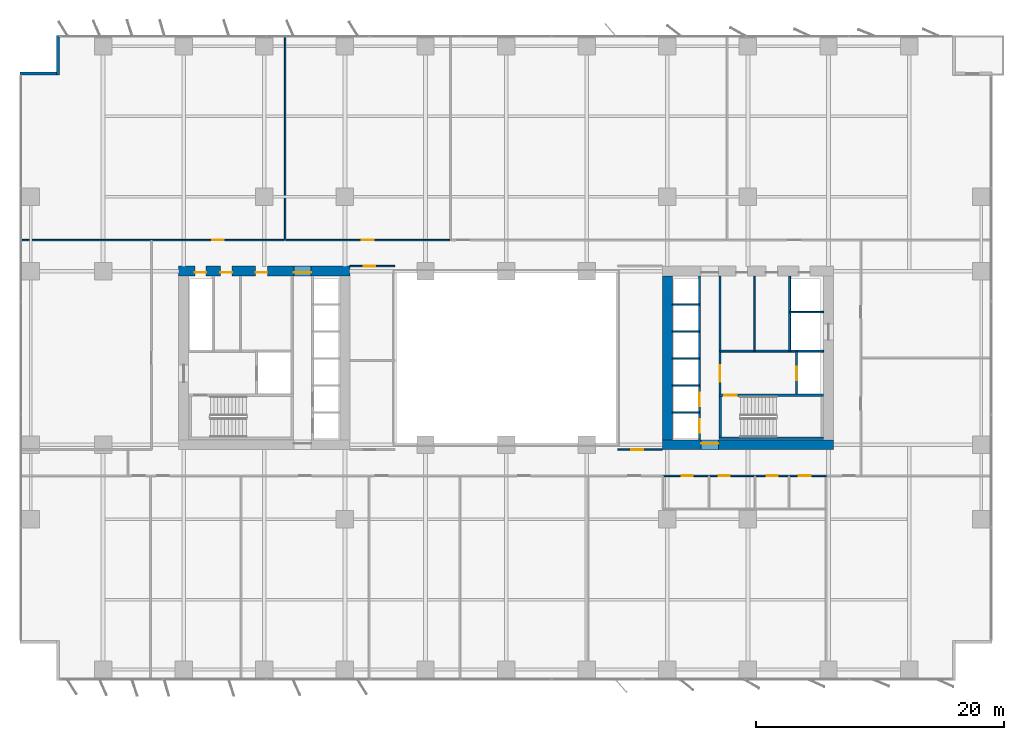
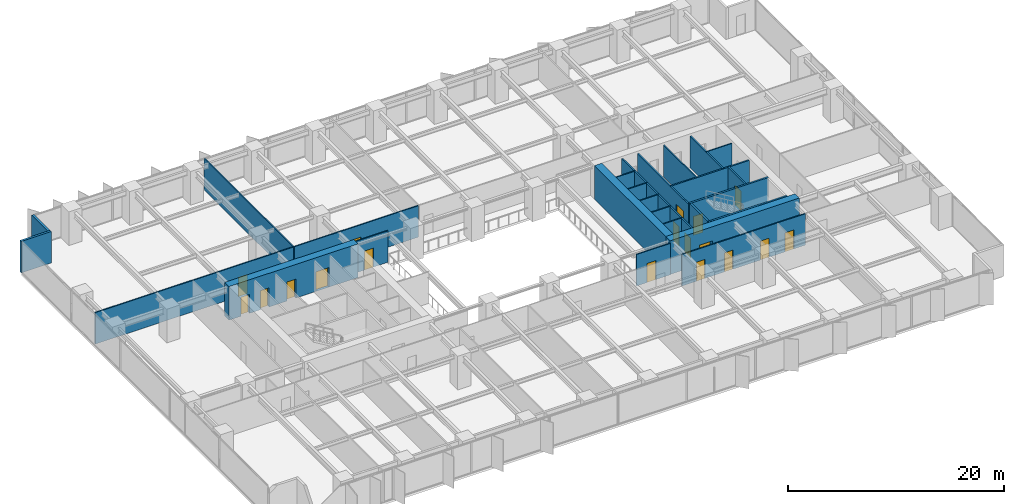
# One storey, part 14 of 20: 26 walls, 18 doors, 18 openings.
"""IFC4 building model written with IfcOpenShell, lengths in metres."""

from ifc_helpers import new_model, si_unit, direction, frame, frame_2d, origin, place, context, subcontext, project, spatial, rectangle, extrude, material, layer, layer_set, type_object, element, fill, save


model = new_model("IFC4")

# Units and contexts
model_context = context("Model", 3, precision=1e-05, world=origin(), true_north=direction((0.0, 1.0)))
body_context = subcontext(model_context, "Body", "Model", "MODEL_VIEW")
ifc_project = project(units=[si_unit("LENGTHUNIT", "METRE"), si_unit("AREAUNIT", "SQUARE_METRE"), si_unit("VOLUMEUNIT", "CUBIC_METRE"), si_unit("PLANEANGLEUNIT", "RADIAN"), si_unit("MASSUNIT", "GRAM", prefix="KILO")], contexts=[model_context])

# Site, building, storey
site_placement = place(None, origin())
site = spatial("IfcSite", under=ifc_project, at=site_placement, CompositionType="ELEMENT")
building_placement = place(site_placement, origin())
building = spatial("IfcBuilding", under=site, at=building_placement, Name="Putna Gate Headquarters", CompositionType="ELEMENT")
storey_placement = place(building_placement, frame((0.0, 0.0, 69.60009765625)))
storey = spatial("IfcBuildingStorey", under=building, at=storey_placement, Name="L16", CompositionType="ELEMENT", Elevation=69.60009765625)

# Wall, openings, doors
ifc_material_1 = material(Name="Concrete C60/75", Category="concrete")
ifc_layer_1 = layer(ifc_material_1, 0.800048828125)
ifc_layer_set_1 = layer_set([ifc_layer_1], Name="Concrete C60/75")
wall_type_1 = type_object("IfcWallType", Name="WALL-CORE-800", PredefinedType="SHEAR", material=ifc_layer_set_1)
wall_1_placement = place(storey_placement, frame((12.60009765625, 33.0, 0.0), z_axis=(0.0, 0.0, 1.0), x_axis=(1.0, 0.0, 0.0)))
wall_1 = element("IfcWall", 1, at=wall_1_placement, inside=storey, type_object=wall_type_1, Name="L16 WC Split Core Shear Wall N", PredefinedType="SHEAR", context=body_context, shape_type="SweptSolid", body=[
    extrude(rectangle(XDim=13.7998046875, YDim=0.800048828125, at=frame_2d((6.89990234375, 0.0))), origin(), (0.0, 0.0, 1.0), 3.7998046875),
])
opening_1_placement = place(wall_1_placement, frame((1.300048828125, 0.0, 0.0)))
opening_1 = element("IfcOpeningElement", 2, at=opening_1_placement, cuts=wall_1, Name="Opening RD-90", PredefinedType="OPENING", context=body_context, shape_type="SweptSolid", body=[
    extrude(rectangle(XDim=0.89990234375, YDim=2.14990234375, at=frame_2d((0.449951171875, 1.074951171875))), frame((0.0, 0.409912109375, 0.0), z_axis=(0.0, -1.0, 0.0), x_axis=(1.0, 0.0, 0.0)), (0.0, 0.0, 1.0), 0.820068359375),
])
opening_2_placement = place(wall_1_placement, frame((3.35009765625, 0.0, 0.0)))
opening_2 = element("IfcOpeningElement", 3, at=opening_2_placement, cuts=wall_1, Name="Opening IDS-95", PredefinedType="OPENING", context=body_context, shape_type="SweptSolid", body=[
    extrude(rectangle(XDim=0.949951171875, YDim=2.14990234375, at=frame_2d((0.47509765625, 1.074951171875))), frame((0.0, 0.409912109375, 0.0), z_axis=(0.0, -1.0, 0.0), x_axis=(1.0, 0.0, 0.0)), (0.0, 0.0, 1.0), 0.820068359375),
])
opening_3_placement = place(wall_1_placement, frame((6.199951171875, 0.0, 0.0)))
opening_3 = element("IfcOpeningElement", 4, at=opening_3_placement, cuts=wall_1, Name="Opening IDS-95", PredefinedType="OPENING", context=body_context, shape_type="SweptSolid", body=[
    extrude(rectangle(XDim=0.949951171875, YDim=2.14990234375, at=frame_2d((0.47509765625, 1.074951171875))), frame((0.0, 0.409912109375, 0.0), z_axis=(0.0, -1.0, 0.0), x_axis=(1.0, 0.0, 0.0)), (0.0, 0.0, 1.0), 0.820068359375),
])
opening_4_placement = place(wall_1_placement, frame((9.280029296875, 0.0, 0.0)))
opening_4 = element("IfcOpeningElement", 5, at=opening_4_placement, cuts=wall_1, Name="Opening FDD-140", PredefinedType="OPENING", context=body_context, shape_type="SweptSolid", body=[
    extrude(rectangle(XDim=1.39990234375, YDim=2.199951171875, at=frame_2d((0.699951171875, 1.10009765625))), frame((0.0, 0.409912109375, 0.0), z_axis=(0.0, -1.0, 0.0), x_axis=(1.0, 0.0, 0.0)), (0.0, 0.0, 1.0), 0.820068359375),
])
ifc_material_2 = material(Name="Double steel fire door", Category="steel")
door_type_1 = type_object("IfcDoorType", Name="DOOR-FIRE-DBL-1400", OperationType="DOUBLE_DOOR_SINGLE_SWING", PredefinedType="DOOR", material=ifc_material_2)
door_1_placement = place(opening_4_placement, origin())
door_1 = element("IfcDoor", 6, at=door_1_placement, inside=storey, type_object=door_type_1, Name="L16 West Lift Lobby North Door", OperationType="DOUBLE_DOOR_SINGLE_SWING", OverallHeight=2.199951171875, OverallWidth=1.39990234375, PredefinedType="DOOR", context=body_context, shape_type="SweptSolid", body=[
    extrude(rectangle(XDim=1.39990234375, YDim=2.199951171875, at=frame_2d((0.699951171875, 1.10009765625))), frame((0.0, -0.0751953125, 0.0), z_axis=(0.0, -1.0, 0.0), x_axis=(1.0, 0.0, 0.0)), (0.0, 0.0, 1.0), 0.050048828125),
])
fill(opening_4, door_1)
ifc_material_3 = material(Name="Fire-rated service timber door", Category="wood")
door_type_2 = type_object("IfcDoorType", Name="DOOR-INT-950", OperationType="NOTDEFINED", PredefinedType="DOOR", material=ifc_material_3)
door_2_placement = place(opening_2_placement, origin())
door_2 = element("IfcDoor", 7, at=door_2_placement, inside=storey, type_object=door_type_2, Name="L16 Archive Store Door", OperationType="SINGLE_SWING_LEFT", OverallHeight=2.14990234375, OverallWidth=0.949951171875, PredefinedType="DOOR", context=body_context, shape_type="SweptSolid", body=[
    extrude(rectangle(XDim=0.949951171875, YDim=2.14990234375, at=frame_2d((0.47509765625, 1.074951171875))), frame((0.0, -0.0751953125, 0.0), z_axis=(0.0, -1.0, 0.0), x_axis=(1.0, 0.0, 0.0)), (0.0, 0.0, 1.0), 0.050048828125),
])
fill(opening_2, door_2)
door_3_placement = place(opening_3_placement, origin())
door_3 = element("IfcDoor", 8, at=door_3_placement, inside=storey, type_object=door_type_2, Name="L16 Switchgear Plant Door", OperationType="SINGLE_SWING_RIGHT", OverallHeight=2.14990234375, OverallWidth=0.949951171875, PredefinedType="DOOR", context=body_context, shape_type="SweptSolid", body=[
    extrude(rectangle(XDim=0.949951171875, YDim=2.14990234375, at=frame_2d((0.47509765625, 1.074951171875))), frame((0.0, -0.0751953125, 0.0), z_axis=(0.0, -1.0, 0.0), x_axis=(1.0, 0.0, 0.0)), (0.0, 0.0, 1.0), 0.050048828125),
])
fill(opening_3, door_3)
ifc_material_4 = material(Name="Steel riser access fire door", Category="steel")
door_type_3 = type_object("IfcDoorType", Name="DOOR-RISER-900", OperationType="NOTDEFINED", PredefinedType="DOOR", material=ifc_material_4)
door_4_placement = place(opening_1_placement, origin())
door_4 = element("IfcDoor", 9, at=door_4_placement, inside=storey, type_object=door_type_3, Name="L16 West Riser Access Door", OperationType="SINGLE_SWING_RIGHT", OverallHeight=2.14990234375, OverallWidth=0.89990234375, PredefinedType="DOOR", context=body_context, shape_type="SweptSolid", body=[
    extrude(rectangle(XDim=0.89990234375, YDim=2.14990234375, at=frame_2d((0.449951171875, 1.074951171875))), frame((0.0, -0.0751953125, 0.0), z_axis=(0.0, -1.0, 0.0), x_axis=(1.0, 0.0, 0.0)), (0.0, 0.0, 1.0), 0.050048828125),
])
fill(opening_1, door_4)

# Wall, opening, door
wall_2_placement = place(storey_placement, frame((51.60009765625, 19.0, 0.0), z_axis=(0.0, 0.0, 1.0), x_axis=(1.0, 0.0, 0.0)))
wall_2 = element("IfcWall", 10, at=wall_2_placement, inside=storey, type_object=wall_type_1, Name="L16 EC Split Core Shear Wall S", PredefinedType="SHEAR", context=body_context, shape_type="SweptSolid", body=[
    extrude(rectangle(XDim=13.7998046875, YDim=0.800048828125, at=frame_2d((6.89990234375, 0.0))), origin(), (0.0, 0.0, 1.0), 3.7998046875),
])
opening_5_placement = place(wall_2_placement, frame((3.1201171875, 0.0, 0.0)))
opening_5 = element("IfcOpeningElement", 11, at=opening_5_placement, cuts=wall_2, Name="Opening FDD-140", PredefinedType="OPENING", context=body_context, shape_type="SweptSolid", body=[
    extrude(rectangle(XDim=1.39990234375, YDim=2.199951171875, at=frame_2d((0.699951171875, 1.10009765625))), frame((0.0, 0.409912109375, 0.0), z_axis=(0.0, -1.0, 0.0), x_axis=(1.0, 0.0, 0.0)), (0.0, 0.0, 1.0), 0.820068359375),
])
door_5_placement = place(opening_5_placement, origin())
door_5 = element("IfcDoor", 12, at=door_5_placement, inside=storey, type_object=door_type_1, Name="L16 East Lift Lobby South Door", OperationType="DOUBLE_DOOR_SINGLE_SWING", OverallHeight=2.199951171875, OverallWidth=1.39990234375, PredefinedType="DOOR", context=body_context, shape_type="SweptSolid", body=[
    extrude(rectangle(XDim=1.39990234375, YDim=2.199951171875, at=frame_2d((0.699951171875, 1.10009765625))), frame((0.0, 0.125, 0.0), z_axis=(0.0, -1.0, 0.0), x_axis=(1.0, 0.0, 0.0)), (0.0, 0.0, 1.0), 0.050048828125),
])
fill(opening_5, door_5)

# Walls
wall_3_placement = place(storey_placement, frame((52.0, 19.39990234375, 0.0), z_axis=(0.0, 0.0, 1.0), x_axis=(0.0, 1.0, 0.0)))
element("IfcWall", 13, at=wall_3_placement, inside=storey, type_object=wall_type_1, Name="L16 EC Split Core Shear Wall W", PredefinedType="SHEAR", context=body_context, shape_type="SweptSolid", body=[
    extrude(rectangle(XDim=13.2001953125, YDim=0.800048828125, at=frame_2d((6.60009765625, 0.0))), origin(), (0.0, 0.0, 1.0), 3.7998046875),
])
ifc_material_5 = material(Name="Precast concrete C40/50", Category="concrete")
ifc_layer_2 = layer(ifc_material_5, 0.239990234375)
ifc_layer_set_2 = layer_set([ifc_layer_2], Name="Precast concrete C40/50")
wall_type_2 = type_object("IfcWallType", Name="WALL-EXT-TERR-240", PredefinedType="STANDARD", material=ifc_layer_set_2)
for number, where, z_axis, x_axis, name in (
    (14, (2.8798828125, 48.800048828125, 0.0), (0.0, 0.0, 1.0), (0.0, 1.0, 0.0), "L16 Corner Notch Return Wall NW-V"),
    (15, (-0.199951171875, 48.919921875, 0.0), (0.0, 0.0, 1.0), (1.0, 0.0, 0.0), "L16 Corner Notch Return Wall NW-H"),
):
    element("IfcWall", number, at=place(storey_placement, frame(where, z_axis=z_axis, x_axis=x_axis)), inside=storey, type_object=wall_type_2, Name=name, PredefinedType="STANDARD", context=body_context, shape_type="SweptSolid", body=[
        extrude(rectangle(XDim=3.199951171875, YDim=0.239990234375, at=frame_2d((1.60009765625, 0.0))), origin(), (0.0, 0.0, 1.0), 3.5498046875),
    ])

# Wall, opening, door
ifc_material_6 = material(Name="Acoustic gypsum board on metal stud")
ifc_layer_3 = layer(ifc_material_6, 0.1201171875)
ifc_layer_set_3 = layer_set([ifc_layer_3], Name="Acoustic gypsum board on metal stud")
wall_type_3 = type_object("IfcWallType", Name="WALL-PART-120", PredefinedType="PARTITIONING", material=ifc_layer_set_3)
wall_4_placement = place(storey_placement, frame((26.39990234375, 33.39990234375, 0.0), z_axis=(0.0, 0.0, 1.0), x_axis=(1.0, 0.0, 0.0)))
wall_4 = element("IfcWall", 16, at=wall_4_placement, inside=storey, type_object=wall_type_3, Name="L16 Interior Wall PART-L16-ATR-W-N", PredefinedType="PARTITIONING", context=body_context, shape_type="SweptSolid", body=[
    extrude(rectangle(XDim=3.60009765625, YDim=0.1201171875, at=frame_2d((1.800048828125, 0.0))), origin(), (0.0, 0.0, 1.0), 3.5498046875),
])
opening_6_placement = place(wall_4_placement, frame((1.10009765625, 0.0, 0.0)))
opening_6 = element("IfcOpeningElement", 17, at=opening_6_placement, cuts=wall_4, Name="Opening ID-95", PredefinedType="OPENING", context=body_context, shape_type="SweptSolid", body=[
    extrude(rectangle(XDim=0.949951171875, YDim=2.14990234375, at=frame_2d((0.47509765625, 1.074951171875))), frame((0.0, 0.070068359375, 0.0), z_axis=(0.0, -1.0, 0.0), x_axis=(1.0, 0.0, 0.0)), (0.0, 0.0, 1.0), 0.14013671875),
])
ifc_material_7 = material(Name="Veneered acoustic timber door", Category="wood")
door_type_4 = type_object("IfcDoorType", Name="DOOR-OFF-950", OperationType="NOTDEFINED", PredefinedType="DOOR", material=ifc_material_7)
door_6_placement = place(opening_6_placement, origin())
door_6 = element("IfcDoor", 18, at=door_6_placement, inside=storey, type_object=door_type_4, Name="L16 West Atrium North Study Door", OperationType="SINGLE_SWING_RIGHT", OverallHeight=2.14990234375, OverallWidth=0.949951171875, PredefinedType="DOOR", context=body_context, shape_type="SweptSolid", body=[
    extrude(rectangle(XDim=0.949951171875, YDim=2.14990234375, at=frame_2d((0.47509765625, 1.074951171875))), frame((0.0, 0.02490234375, 0.0), z_axis=(0.0, -1.0, 0.0), x_axis=(1.0, 0.0, 0.0)), (0.0, 0.0, 1.0), 0.050048828125),
])
fill(opening_6, door_6)

wall_5_placement = place(storey_placement, frame((48.0, 18.60009765625, 0.0), z_axis=(0.0, 0.0, 1.0), x_axis=(1.0, 0.0, 0.0)))
wall_5 = element("IfcWall", 19, at=wall_5_placement, inside=storey, type_object=wall_type_3, Name="L16 Interior Wall PART-L16-ATR-E-S", PredefinedType="PARTITIONING", context=body_context, shape_type="SweptSolid", body=[
    extrude(rectangle(XDim=3.60009765625, YDim=0.1201171875, at=frame_2d((1.800048828125, 0.0))), origin(), (0.0, 0.0, 1.0), 3.5498046875),
])
opening_7_placement = place(wall_5_placement, frame((1.10009765625, 0.0, 0.0)))
opening_7 = element("IfcOpeningElement", 20, at=opening_7_placement, cuts=wall_5, Name="Opening ID-95", PredefinedType="OPENING", context=body_context, shape_type="SweptSolid", body=[
    extrude(rectangle(XDim=0.949951171875, YDim=2.14990234375, at=frame_2d((0.47509765625, 1.074951171875))), frame((0.0, 0.070068359375, 0.0), z_axis=(0.0, -1.0, 0.0), x_axis=(1.0, 0.0, 0.0)), (0.0, 0.0, 1.0), 0.14013671875),
])
door_7_placement = place(opening_7_placement, origin())
door_7 = element("IfcDoor", 21, at=door_7_placement, inside=storey, type_object=door_type_4, Name="L16 East Atrium Gallery Lounge Door", OperationType="SINGLE_SWING_LEFT", OverallHeight=2.14990234375, OverallWidth=0.949951171875, PredefinedType="DOOR", context=body_context, shape_type="SweptSolid", body=[
    extrude(rectangle(XDim=0.949951171875, YDim=2.14990234375, at=frame_2d((0.47509765625, 1.074951171875))), frame((0.0, 0.02490234375, 0.0), z_axis=(0.0, -1.0, 0.0), x_axis=(1.0, 0.0, 0.0)), (0.0, 0.0, 1.0), 0.050048828125),
])
fill(opening_7, door_7)

# Walls
wall_6_placement = place(storey_placement, frame((21.17578125, 35.56005859375, 0.0), z_axis=(0.0, 0.0, 1.0), x_axis=(0.0, 1.0, 0.0)))
element("IfcWall", 22, at=wall_6_placement, inside=storey, type_object=wall_type_3, Name="L16 Interior Wall PART-L16-NB-DIV-01", PredefinedType="PARTITIONING", context=body_context, shape_type="SweptSolid", body=[
    extrude(rectangle(XDim=16.419921875, YDim=0.1201171875, at=frame_2d((8.2099609375, 0.0))), origin(), (0.0, 0.0, 1.0), 3.5498046875),
])
ifc_material_8 = material(Name="Fire-rated shaftwall gypsum board on metal stud")
ifc_layer_4 = layer(ifc_material_8, 0.1201171875)
ifc_layer_set_4 = layer_set([ifc_layer_4], Name="Fire-rated shaftwall gypsum board on metal stud")
wall_type_4 = type_object("IfcWallType", Name="WALL-PART-120-EI120", PredefinedType="PARTITIONING", material=ifc_layer_set_4)
for number, where, z_axis, x_axis, name in (
    (23, (52.39990234375, 21.610107421875, 0.0), (0.0, 0.0, 1.0), (1.0, 0.0, 0.0), "L16 Interior Wall CWINT-L16-EC-LF03-DIV"),
    (24, (52.39990234375, 23.780029296875, 0.0), (0.0, 0.0, 1.0), (1.0, 0.0, 0.0), "L16 Interior Wall CWINT-L16-EC-LF04-DIV"),
    (25, (52.39990234375, 25.949951171875, 0.0), (0.0, 0.0, 1.0), (1.0, 0.0, 0.0), "L16 Interior Wall CWINT-L16-EC-LF07-DIV"),
    (26, (52.39990234375, 28.1201171875, 0.0), (0.0, 0.0, 1.0), (1.0, 0.0, 0.0), "L16 Interior Wall CWINT-L16-EC-LF08-DIV"),
    (27, (52.39990234375, 30.31005859375, 0.0), (0.0, 0.0, 1.0), (1.0, 0.0, 0.0), "L16 Interior Wall CWINT-L16-EC-LF11-DIV"),
):
    element("IfcWall", number, at=place(storey_placement, frame(where, z_axis=z_axis, x_axis=x_axis)), inside=storey, type_object=wall_type_4, Name=name, PredefinedType="PARTITIONING", context=body_context, shape_type="SweptSolid", body=[
        extrude(rectangle(XDim=2.2001953125, YDim=0.1201171875, at=frame_2d((1.10009765625, 0.0))), origin(), (0.0, 0.0, 1.0), 3.5498046875),
    ])
wall_7_placement = place(storey_placement, frame((61.8701171875, 29.699951171875, 0.0), z_axis=(0.0, 0.0, 1.0), x_axis=(1.0, 0.0, 0.0)))
element("IfcWall", 28, at=wall_7_placement, inside=storey, type_object=wall_type_4, Name="L16 Interior Wall CWINT-L16-EC-LF15-N", PredefinedType="PARTITIONING", context=body_context, shape_type="SweptSolid", body=[
    extrude(rectangle(XDim=2.72998046875, YDim=0.1201171875, at=frame_2d((1.364990234375, 0.0))), origin(), (0.0, 0.0, 1.0), 3.5498046875),
])
ifc_material_9 = material(Name="Fire-rated gypsum board on metal stud")
ifc_layer_5 = layer(ifc_material_9, 0.1201171875)
ifc_layer_set_5 = layer_set([ifc_layer_5], Name="Fire-rated gypsum board on metal stud")
wall_type_5 = type_object("IfcWallType", Name="WALL-PART-120-RATED", PredefinedType="PARTITIONING", material=ifc_layer_set_5)
wall_8_placement = place(storey_placement, frame((59.02001953125, 26.56005859375, 0.0), z_axis=(0.0, 0.0, 1.0), x_axis=(0.0, 1.0, 0.0)))
element("IfcWall", 29, at=wall_8_placement, inside=storey, type_object=wall_type_5, Name="L16 Interior Wall CWINT-L16-EC-K1-DIV", PredefinedType="PARTITIONING", context=body_context, shape_type="SweptSolid", body=[
    extrude(rectangle(XDim=6.0400390625, YDim=0.1201171875, at=frame_2d((3.02001953125, 0.0))), origin(), (0.0, 0.0, 1.0), 3.5498046875),
])

# Wall, openings, doors
wall_9_placement = place(storey_placement, frame((51.639892578125, 16.5, 0.0), z_axis=(0.0, 0.0, 1.0), x_axis=(1.0, 0.0, 0.0)))
wall_9 = element("IfcWall", 30, at=wall_9_placement, inside=storey, type_object=wall_type_5, Name="L16 Interior Wall PART-L16-SAN-CW", PredefinedType="PARTITIONING", context=body_context, shape_type="SweptSolid", body=[
    extrude(rectangle(XDim=13.16015625, YDim=0.1201171875, at=frame_2d((6.580078125, 0.0))), origin(), (0.0, 0.0, 1.0), 3.5498046875),
])
opening_8_placement = place(wall_9_placement, frame((1.510009765625, 0.0, 0.0)))
opening_8 = element("IfcOpeningElement", 31, at=opening_8_placement, cuts=wall_9, Name="Opening FD-90", PredefinedType="OPENING", context=body_context, shape_type="SweptSolid", body=[
    extrude(rectangle(XDim=0.89990234375, YDim=2.14990234375, at=frame_2d((0.449951171875, 1.074951171875))), frame((0.0, 0.070068359375, 0.0), z_axis=(0.0, -1.0, 0.0), x_axis=(1.0, 0.0, 0.0)), (0.0, 0.0, 1.0), 0.14013671875),
])
opening_9_placement = place(wall_9_placement, frame((4.510009765625, 0.0, 0.0)))
opening_9 = element("IfcOpeningElement", 32, at=opening_9_placement, cuts=wall_9, Name="Opening FD-90", PredefinedType="OPENING", context=body_context, shape_type="SweptSolid", body=[
    extrude(rectangle(XDim=0.89990234375, YDim=2.14990234375, at=frame_2d((0.449951171875, 1.074951171875))), frame((0.0, 0.070068359375, 0.0), z_axis=(0.0, -1.0, 0.0), x_axis=(1.0, 0.0, 0.0)), (0.0, 0.0, 1.0), 0.14013671875),
])
opening_10_placement = place(wall_9_placement, frame((8.360107421875, 0.0, 0.0)))
opening_10 = element("IfcOpeningElement", 33, at=opening_10_placement, cuts=wall_9, Name="Opening FD-90", PredefinedType="OPENING", context=body_context, shape_type="SweptSolid", body=[
    extrude(rectangle(XDim=0.89990234375, YDim=2.14990234375, at=frame_2d((0.449951171875, 1.074951171875))), frame((0.0, 0.070068359375, 0.0), z_axis=(0.0, -1.0, 0.0), x_axis=(1.0, 0.0, 0.0)), (0.0, 0.0, 1.0), 0.14013671875),
])
opening_11_placement = place(wall_9_placement, frame((10.9599609375, 0.0, 0.0)))
opening_11 = element("IfcOpeningElement", 34, at=opening_11_placement, cuts=wall_9, Name="Opening FD-95", PredefinedType="OPENING", context=body_context, shape_type="SweptSolid", body=[
    extrude(rectangle(XDim=0.949951171875, YDim=2.14990234375, at=frame_2d((0.47509765625, 1.074951171875))), frame((0.0, 0.070068359375, 0.0), z_axis=(0.0, -1.0, 0.0), x_axis=(1.0, 0.0, 0.0)), (0.0, 0.0, 1.0), 0.14013671875),
])
ifc_material_10 = material(Name="Acoustic washroom fire door")
door_type_5 = type_object("IfcDoorType", Name="DOOR-FIRE-900", OperationType="NOTDEFINED", PredefinedType="DOOR", material=ifc_material_10)
door_8_placement = place(opening_8_placement, origin())
door_8 = element("IfcDoor", 35, at=door_8_placement, inside=storey, type_object=door_type_5, Name="L16 Washroom Male Door", OperationType="SINGLE_SWING_RIGHT", OverallHeight=2.14990234375, OverallWidth=0.89990234375, PredefinedType="DOOR", context=body_context, shape_type="SweptSolid", body=[
    extrude(rectangle(XDim=0.89990234375, YDim=2.14990234375, at=frame_2d((0.449951171875, 1.074951171875))), frame((0.0, 0.02490234375, 0.0), z_axis=(0.0, -1.0, 0.0), x_axis=(1.0, 0.0, 0.0)), (0.0, 0.0, 1.0), 0.050048828125),
])
fill(opening_8, door_8)
door_9_placement = place(opening_9_placement, origin())
door_9 = element("IfcDoor", 36, at=door_9_placement, inside=storey, type_object=door_type_5, Name="L16 Washroom Female Door", OperationType="SINGLE_SWING_LEFT", OverallHeight=2.14990234375, OverallWidth=0.89990234375, PredefinedType="DOOR", context=body_context, shape_type="SweptSolid", body=[
    extrude(rectangle(XDim=0.89990234375, YDim=2.14990234375, at=frame_2d((0.449951171875, 1.074951171875))), frame((0.0, 0.02490234375, 0.0), z_axis=(0.0, -1.0, 0.0), x_axis=(1.0, 0.0, 0.0)), (0.0, 0.0, 1.0), 0.050048828125),
])
fill(opening_9, door_9)
door_10_placement = place(opening_10_placement, origin())
door_10 = element("IfcDoor", 37, at=door_10_placement, inside=storey, type_object=door_type_5, Name="L16 Accessible WC Door", OperationType="SINGLE_SWING_RIGHT", OverallHeight=2.14990234375, OverallWidth=0.89990234375, PredefinedType="DOOR", context=body_context, shape_type="SweptSolid", body=[
    extrude(rectangle(XDim=0.89990234375, YDim=2.14990234375, at=frame_2d((0.449951171875, 1.074951171875))), frame((0.0, 0.02490234375, 0.0), z_axis=(0.0, -1.0, 0.0), x_axis=(1.0, 0.0, 0.0)), (0.0, 0.0, 1.0), 0.050048828125),
])
fill(opening_10, door_10)
ifc_material_11 = material(Name="Acoustic timber fire door", Category="wood")
door_type_6 = type_object("IfcDoorType", Name="DOOR-FIRE-950", OperationType="NOTDEFINED", PredefinedType="DOOR", material=ifc_material_11)
door_11_placement = place(opening_11_placement, origin())
door_11 = element("IfcDoor", 38, at=door_11_placement, inside=storey, type_object=door_type_6, Name="L16 Staff Pantry and Tea Point Door", OperationType="SINGLE_SWING_LEFT", OverallHeight=2.14990234375, OverallWidth=0.949951171875, PredefinedType="DOOR", context=body_context, shape_type="SweptSolid", body=[
    extrude(rectangle(XDim=0.949951171875, YDim=2.14990234375, at=frame_2d((0.47509765625, 1.074951171875))), frame((0.0, 0.02490234375, 0.0), z_axis=(0.0, -1.0, 0.0), x_axis=(1.0, 0.0, 0.0)), (0.0, 0.0, 1.0), 0.050048828125),
])
fill(opening_11, door_11)

# Wall, opening, door
wall_10_placement = place(storey_placement, frame((-0.02001953125, 35.5, 0.0), z_axis=(0.0, 0.0, 1.0), x_axis=(1.0, 0.0, 0.0)))
wall_10 = element("IfcWall", 39, at=wall_10_placement, inside=storey, type_object=wall_type_5, Name="L16 Interior Wall PART-L16-NB-CW-01", PredefinedType="PARTITIONING", context=body_context, shape_type="SweptSolid", body=[
    extrude(rectangle(XDim=21.1357421875, YDim=0.1201171875, at=frame_2d((10.56787109375, 0.0))), origin(), (0.0, 0.0, 1.0), 3.5498046875),
])
opening_12_placement = place(wall_10_placement, frame((15.302978515625, 0.0, 0.0)))
opening_12 = element("IfcOpeningElement", 40, at=opening_12_placement, cuts=wall_10, Name="Opening FD-95", PredefinedType="OPENING", context=body_context, shape_type="SweptSolid", body=[
    extrude(rectangle(XDim=0.949951171875, YDim=2.14990234375, at=frame_2d((0.47509765625, 1.074951171875))), frame((0.0, 0.070068359375, 0.0), z_axis=(0.0, -1.0, 0.0), x_axis=(1.0, 0.0, 0.0)), (0.0, 0.0, 1.0), 0.14013671875),
])
door_12_placement = place(opening_12_placement, origin())
door_12 = element("IfcDoor", 41, at=door_12_placement, inside=storey, type_object=door_type_6, Name="L16 Quiet Wellness Focus Studio 2 Door", OperationType="SINGLE_SWING_RIGHT", OverallHeight=2.14990234375, OverallWidth=0.949951171875, PredefinedType="DOOR", context=body_context, shape_type="SweptSolid", body=[
    extrude(rectangle(XDim=0.949951171875, YDim=2.14990234375, at=frame_2d((0.47509765625, 1.074951171875))), frame((0.0, 0.02490234375, 0.0), z_axis=(0.0, -1.0, 0.0), x_axis=(1.0, 0.0, 0.0)), (0.0, 0.0, 1.0), 0.050048828125),
])
fill(opening_12, door_12)

wall_11_placement = place(storey_placement, frame((21.235595703125, 35.5, 0.0), z_axis=(0.0, 0.0, 1.0), x_axis=(1.0, 0.0, 0.0)))
wall_11 = element("IfcWall", 42, at=wall_11_placement, inside=storey, type_object=wall_type_5, Name="L16 Interior Wall PART-L16-NB-CW-02", PredefinedType="PARTITIONING", context=body_context, shape_type="SweptSolid", body=[
    extrude(rectangle(XDim=13.232666015625, YDim=0.1201171875, at=frame_2d((6.6162109375, 0.0))), origin(), (0.0, 0.0, 1.0), 3.5498046875),
])
opening_13_placement = place(wall_11_placement, frame((6.141357421875, 0.0, 0.0)))
opening_13 = element("IfcOpeningElement", 43, at=opening_13_placement, cuts=wall_11, Name="Opening FD-95", PredefinedType="OPENING", context=body_context, shape_type="SweptSolid", body=[
    extrude(rectangle(XDim=0.949951171875, YDim=2.14990234375, at=frame_2d((0.47509765625, 1.074951171875))), frame((0.0, 0.070068359375, 0.0), z_axis=(0.0, -1.0, 0.0), x_axis=(1.0, 0.0, 0.0)), (0.0, 0.0, 1.0), 0.14013671875),
])
door_13_placement = place(opening_13_placement, origin())
door_13 = element("IfcDoor", 44, at=door_13_placement, inside=storey, type_object=door_type_6, Name="L16 Conference Meeting Room 2 Door", OperationType="SINGLE_SWING_LEFT", OverallHeight=2.14990234375, OverallWidth=0.949951171875, PredefinedType="DOOR", context=body_context, shape_type="SweptSolid", body=[
    extrude(rectangle(XDim=0.949951171875, YDim=2.14990234375, at=frame_2d((0.47509765625, 1.074951171875))), frame((0.0, 0.02490234375, 0.0), z_axis=(0.0, -1.0, 0.0), x_axis=(1.0, 0.0, 0.0)), (0.0, 0.0, 1.0), 0.050048828125),
])
fill(opening_13, door_13)

# Wall, openings, doors
ifc_material_12 = material(Name="Concrete C40/50", Category="concrete")
ifc_layer_6 = layer(ifc_material_12, 0.159912109375)
ifc_layer_set_6 = layer_set([ifc_layer_6], Name="Concrete C40/50")
wall_type_6 = type_object("IfcWallType", Name="WALL-SHAFT-160", PredefinedType="STANDARD", material=ifc_layer_set_6)
wall_12_placement = place(storey_placement, frame((54.60009765625, 19.39990234375, 0.0), z_axis=(0.0, 0.0, 1.0), x_axis=(0.0, 1.0, 0.0)))
wall_12 = element("IfcWall", 45, at=wall_12_placement, inside=storey, type_object=wall_type_6, Name="L16 Interior Wall CWINT-L16-EC-PL-WALL", PredefinedType="STANDARD", context=body_context, shape_type="SweptSolid", body=[
    extrude(rectangle(XDim=13.2001953125, YDim=0.159912109375, at=frame_2d((6.60009765625, 0.0))), origin(), (0.0, 0.0, 1.0), 3.5498046875),
])
opening_14_placement = place(wall_12_placement, frame((0.550048828125, 0.0, 0.0)))
opening_14 = element("IfcOpeningElement", 46, at=opening_14_placement, cuts=wall_12, Name="Opening LD-1", PredefinedType="OPENING", context=body_context, shape_type="SweptSolid", body=[
    extrude(rectangle(XDim=1.10009765625, YDim=2.199951171875, at=frame_2d((0.550048828125, 1.10009765625))), frame((0.0, 0.08984375, 0.0), z_axis=(0.0, -1.0, 0.0), x_axis=(1.0, 0.0, 0.0)), (0.0, 0.0, 1.0), 0.179931640625),
])
opening_15_placement = place(wall_12_placement, frame((2.699951171875, 0.0, 0.0)))
opening_15 = element("IfcOpeningElement", 47, at=opening_15_placement, cuts=wall_12, Name="Opening LD-1", PredefinedType="OPENING", context=body_context, shape_type="SweptSolid", body=[
    extrude(rectangle(XDim=1.10009765625, YDim=2.199951171875, at=frame_2d((0.550048828125, 1.10009765625))), frame((0.0, 0.08984375, 0.0), z_axis=(0.0, -1.0, 0.0), x_axis=(1.0, 0.0, 0.0)), (0.0, 0.0, 1.0), 0.179931640625),
])
ifc_material_13 = material(Name="Brushed bronze stainless lift landing door")
door_type_7 = type_object("IfcDoorType", Name="DOOR-LIFT-1100", OperationType="DOUBLE_DOOR_SLIDING", PredefinedType="DOOR", material=ifc_material_13)
door_14_placement = place(opening_14_placement, origin())
door_14 = element("IfcDoor", 48, at=door_14_placement, inside=storey, type_object=door_type_7, Name="L16 Lift Landing Door LD-03", OperationType="DOUBLE_DOOR_SLIDING", OverallHeight=2.199951171875, OverallWidth=1.10009765625, PredefinedType="DOOR", context=body_context, shape_type="SweptSolid", body=[
    extrude(rectangle(XDim=1.10009765625, YDim=2.199951171875, at=frame_2d((0.550048828125, 1.10009765625))), frame((0.0, 0.02490234375, 0.0), z_axis=(0.0, -1.0, 0.0), x_axis=(1.0, 0.0, 0.0)), (0.0, 0.0, 1.0), 0.050048828125),
])
fill(opening_14, door_14)
door_15_placement = place(opening_15_placement, origin())
door_15 = element("IfcDoor", 49, at=door_15_placement, inside=storey, type_object=door_type_7, Name="L16 Lift Landing Door LD-04", OperationType="DOUBLE_DOOR_SLIDING", OverallHeight=2.199951171875, OverallWidth=1.10009765625, PredefinedType="DOOR", context=body_context, shape_type="SweptSolid", body=[
    extrude(rectangle(XDim=1.10009765625, YDim=2.199951171875, at=frame_2d((0.550048828125, 1.10009765625))), frame((0.0, 0.02490234375, 0.0), z_axis=(0.0, -1.0, 0.0), x_axis=(1.0, 0.0, 0.0)), (0.0, 0.0, 1.0), 0.050048828125),
])
fill(opening_15, door_15)

# Wall, opening, door
wall_13_placement = place(storey_placement, frame((56.260009765625, 23.090087890625, 0.0), z_axis=(0.0, 0.0, 1.0), x_axis=(0.0, 1.0, 0.0)))
wall_13 = element("IfcWall", 50, at=wall_13_placement, inside=storey, type_object=wall_type_6, Name="L16 Interior Wall CWINT-L16-EC-LOB-E", PredefinedType="STANDARD", context=body_context, shape_type="SweptSolid", body=[
    extrude(rectangle(XDim=9.510009765625, YDim=0.159912109375, at=frame_2d((4.7548828125, 0.0))), origin(), (0.0, 0.0, 1.0), 3.5498046875),
])
opening_16_placement = place(wall_13_placement, frame((1.010009765625, 0.0, 0.0)))
opening_16 = element("IfcOpeningElement", 51, at=opening_16_placement, cuts=wall_13, Name="Opening FDD-130", PredefinedType="OPENING", context=body_context, shape_type="SweptSolid", body=[
    extrude(rectangle(XDim=1.300048828125, YDim=2.199951171875, at=frame_2d((0.64990234375, 1.10009765625))), frame((0.0, 0.08984375, 0.0), z_axis=(0.0, -1.0, 0.0), x_axis=(1.0, 0.0, 0.0)), (0.0, 0.0, 1.0), 0.179931640625),
])
ifc_material_14 = material(Name="Double steel lobby fire door", Category="steel")
door_type_8 = type_object("IfcDoorType", Name="DOOR-FIRE-DBL-1300", OperationType="DOUBLE_DOOR_SINGLE_SWING", PredefinedType="DOOR", material=ifc_material_14)
door_16_placement = place(opening_16_placement, origin())
door_16 = element("IfcDoor", 52, at=door_16_placement, inside=storey, type_object=door_type_8, Name="L16 East Firefighting Lobby Door", OperationType="DOUBLE_DOOR_SINGLE_SWING", OverallHeight=2.199951171875, OverallWidth=1.300048828125, PredefinedType="DOOR", context=body_context, shape_type="SweptSolid", body=[
    extrude(rectangle(XDim=1.300048828125, YDim=2.199951171875, at=frame_2d((0.64990234375, 1.10009765625))), frame((0.0, 0.02490234375, 0.0), z_axis=(0.0, -1.0, 0.0), x_axis=(1.0, 0.0, 0.0)), (0.0, 0.0, 1.0), 0.050048828125),
])
fill(opening_16, door_16)

wall_14_placement = place(storey_placement, frame((62.429931640625, 23.090087890625, 0.0), z_axis=(0.0, 0.0, 1.0), x_axis=(0.0, 1.0, 0.0)))
wall_14 = element("IfcWall", 53, at=wall_14_placement, inside=storey, type_object=wall_type_6, Name="L16 Interior Wall CWINT-L16-EC-LF14-W", PredefinedType="STANDARD", context=body_context, shape_type="SweptSolid", body=[
    extrude(rectangle(XDim=3.469970703125, YDim=0.159912109375, at=frame_2d((1.73486328125, 0.0))), origin(), (0.0, 0.0, 1.0), 3.5498046875),
])
opening_17_placement = place(wall_14_placement, frame((1.10009765625, 0.0, 0.0)))
opening_17 = element("IfcOpeningElement", 54, at=opening_17_placement, cuts=wall_14, Name="Opening LD-1", PredefinedType="OPENING", context=body_context, shape_type="SweptSolid", body=[
    extrude(rectangle(XDim=1.10009765625, YDim=2.199951171875, at=frame_2d((0.550048828125, 1.10009765625))), frame((0.0, 0.08984375, 0.0), z_axis=(0.0, -1.0, 0.0), x_axis=(1.0, 0.0, 0.0)), (0.0, 0.0, 1.0), 0.179931640625),
])
door_17_placement = place(opening_17_placement, origin())
door_17 = element("IfcDoor", 55, at=door_17_placement, inside=storey, type_object=door_type_7, Name="L16 Lift Landing Door LD-14", OperationType="DOUBLE_DOOR_SLIDING", OverallHeight=2.199951171875, OverallWidth=1.10009765625, PredefinedType="DOOR", context=body_context, shape_type="SweptSolid", body=[
    extrude(rectangle(XDim=1.10009765625, YDim=2.199951171875, at=frame_2d((0.550048828125, 1.10009765625))), frame((0.0, 0.02490234375, 0.0), z_axis=(0.0, -1.0, 0.0), x_axis=(1.0, 0.0, 0.0)), (0.0, 0.0, 1.0), 0.050048828125),
])
fill(opening_17, door_17)

# Walls
wall_15_placement = place(storey_placement, frame((56.260009765625, 26.56005859375, 0.0), z_axis=(0.0, 0.0, 1.0), x_axis=(1.0, 0.0, 0.0)))
element("IfcWall", 56, at=wall_15_placement, inside=storey, type_object=wall_type_6, Name="L16 Interior Wall CWINT-L16-EC-FFL-N", PredefinedType="STANDARD", context=body_context, shape_type="SweptSolid", body=[
    extrude(rectangle(XDim=8.340087890625, YDim=0.159912109375, at=frame_2d((4.169921875, 0.0))), origin(), (0.0, 0.0, 1.0), 3.5498046875),
])
wall_16_placement = place(storey_placement, frame((61.8701171875, 26.56005859375, 0.0), z_axis=(0.0, 0.0, 1.0), x_axis=(0.0, 1.0, 0.0)))
element("IfcWall", 57, at=wall_16_placement, inside=storey, type_object=wall_type_6, Name="L16 Interior Wall CWINT-L16-EC-LF15-W", PredefinedType="STANDARD", context=body_context, shape_type="SweptSolid", body=[
    extrude(rectangle(XDim=6.0400390625, YDim=0.159912109375, at=frame_2d((3.02001953125, 0.0))), origin(), (0.0, 0.0, 1.0), 3.5498046875),
])
ifc_layer_7 = layer(ifc_material_12, 0.199951171875)
ifc_layer_set_7 = layer_set([ifc_layer_7], Name="Concrete C40/50")
wall_type_7 = type_object("IfcWallType", Name="WALL-SHAFT-RC200", PredefinedType="SHEAR", material=ifc_layer_set_7)
wall_17_placement = place(storey_placement, frame((56.159912109375, 19.510009765625, 0.0), z_axis=(0.0, 0.0, 1.0), x_axis=(1.0, 0.0, 0.0)))
element("IfcWall", 58, at=wall_17_placement, inside=storey, type_object=wall_type_7, Name="L16 Stair ST2 Structural Shaft Wall S", PredefinedType="SHEAR", context=body_context, shape_type="SweptSolid", body=[
    extrude(rectangle(XDim=8.43017578125, YDim=0.199951171875, at=frame_2d((4.215087890625, 0.0))), origin(), (0.0, 0.0, 1.0), 3.7998046875),
])

# Wall, opening, door
wall_18_placement = place(storey_placement, frame((56.159912109375, 22.989990234375, 0.0), z_axis=(0.0, 0.0, 1.0), x_axis=(1.0, 0.0, 0.0)))
wall_18 = element("IfcWall", 59, at=wall_18_placement, inside=storey, type_object=wall_type_7, Name="L16 Stair ST2 Structural Shaft Wall N", PredefinedType="SHEAR", context=body_context, shape_type="SweptSolid", body=[
    extrude(rectangle(XDim=8.43017578125, YDim=0.199951171875, at=frame_2d((4.215087890625, 0.0))), origin(), (0.0, 0.0, 1.0), 3.7998046875),
])
opening_18_placement = place(wall_18_placement, frame((0.449951171875, 0.0, 0.0)))
opening_18 = element("IfcOpeningElement", 60, at=opening_18_placement, cuts=wall_18, Name="Opening FD-100", PredefinedType="OPENING", context=body_context, shape_type="SweptSolid", body=[
    extrude(rectangle(XDim=1.0, YDim=2.14990234375, at=frame_2d((0.5, 1.074951171875))), frame((0.0, 0.10986328125, 0.0), z_axis=(0.0, -1.0, 0.0), x_axis=(1.0, 0.0, 0.0)), (0.0, 0.0, 1.0), 0.219970703125),
])
ifc_material_15 = material(Name="Powder-coated steel fire door", Category="steel")
door_type_9 = type_object("IfcDoorType", Name="DOOR-FIRE-1000", OperationType="NOTDEFINED", PredefinedType="DOOR", material=ifc_material_15)
door_18_placement = place(opening_18_placement, origin())
door_18 = element("IfcDoor", 61, at=door_18_placement, inside=storey, type_object=door_type_9, Name="L16 Stair ST2 Fire Door", OperationType="SINGLE_SWING_RIGHT", OverallHeight=2.14990234375, OverallWidth=1.0, PredefinedType="DOOR", context=body_context, shape_type="SweptSolid", body=[
    extrude(rectangle(XDim=1.0, YDim=2.14990234375, at=frame_2d((0.5, 1.074951171875))), frame((0.0, 0.02490234375, 0.0), z_axis=(0.0, -1.0, 0.0), x_axis=(1.0, 0.0, 0.0)), (0.0, 0.0, 1.0), 0.050048828125),
])
fill(opening_18, door_18)

# Wall
wall_19_placement = place(storey_placement, frame((56.260009765625, 19.610107421875, 0.0), z_axis=(0.0, 0.0, 1.0), x_axis=(0.0, 1.0, 0.0)))
element("IfcWall", 62, at=wall_19_placement, inside=storey, type_object=wall_type_7, Name="L16 Stair ST2 Structural Shaft Wall W", PredefinedType="SHEAR", context=body_context, shape_type="SweptSolid", body=[
    extrude(rectangle(XDim=3.27978515625, YDim=0.199951171875, at=frame_2d((1.639892578125, 0.0))), origin(), (0.0, 0.0, 1.0), 3.7998046875),
])

save(model, "model.ifc")
